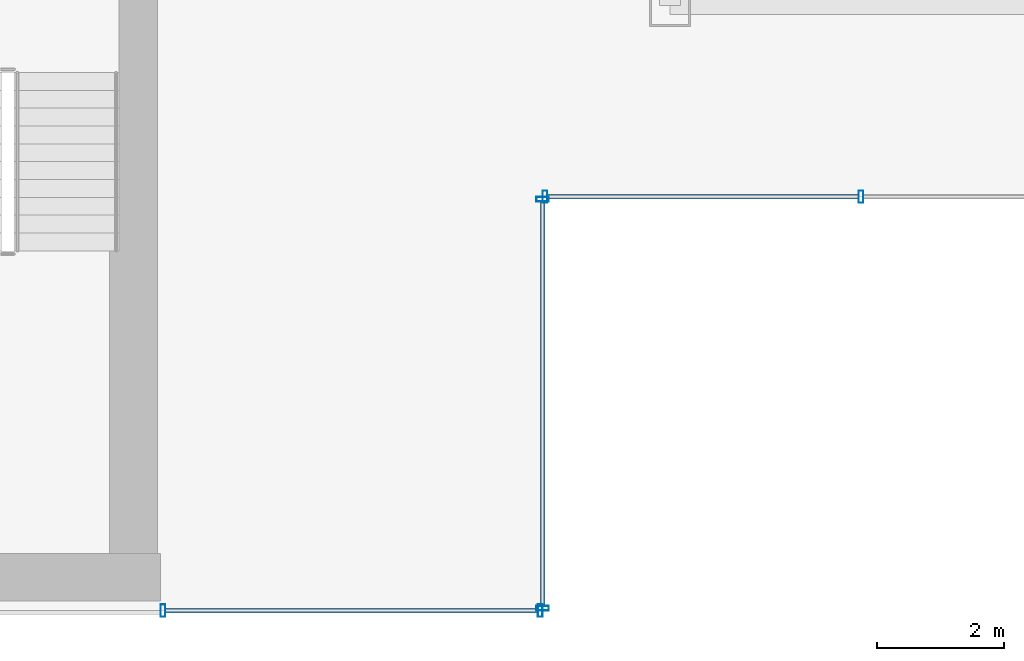
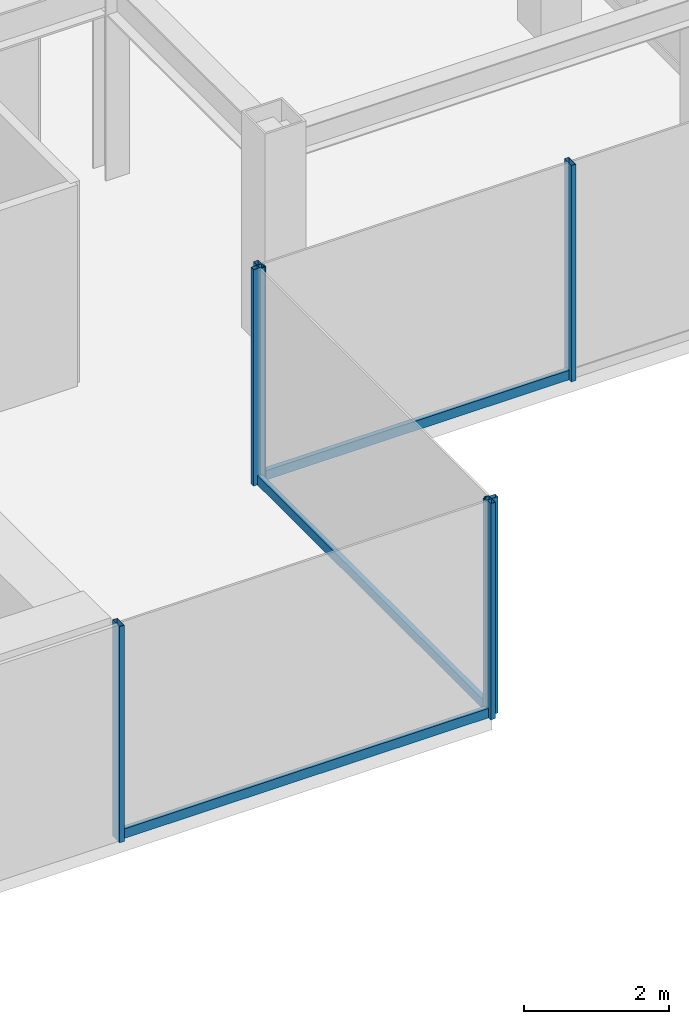
# One storey, part 9 of 25: 9 members, 3 elements without a shape of their own.
"""IFC4 building model written with IfcOpenShell, lengths in metres."""

from ifc_helpers import new_model, si_unit, derived_unit, direction, frame, origin, origin_2d, place, context, subcontext, project, spatial, hollow_rectangle, extrude, source, transform, mapped, material, material_profile, profile_set, type_object, element, aggregate, save


model = new_model("IFC4")

# Units and contexts
model_context = context("Model", 3, precision=1e-05, world=origin(), true_north=direction((0.0, 1.0)))
body_context = subcontext(model_context, "Body", "Model", "MODEL_VIEW")
ifc_project = project(units=[si_unit("LENGTHUNIT", "METRE"), si_unit("AREAUNIT", "SQUARE_METRE"), si_unit("VOLUMEUNIT", "CUBIC_METRE"), si_unit("PLANEANGLEUNIT", "RADIAN"), si_unit("MASSUNIT", "GRAM", prefix="KILO"), derived_unit("THERMALTRANSMITTANCEUNIT", [(si_unit("POWERUNIT", "WATT"), 1), (si_unit("LENGTHUNIT", "METRE"), -2), (si_unit("THERMODYNAMICTEMPERATUREUNIT", "KELVIN"), -1)])], contexts=[model_context])

# Site, building, storey
site_placement = place(None, origin())
site = spatial("IfcSite", under=ifc_project, at=site_placement, CompositionType="ELEMENT")
building_placement = place(site_placement, origin())
building = spatial("IfcBuilding", under=site, at=building_placement, Name="Skarnbrae Concourse Arena and Tower", CompositionType="ELEMENT")
storey_placement = place(building_placement, frame((0.0, 0.0, 169.800048828125)))
storey = spatial("IfcBuildingStorey", under=building, at=storey_placement, Name="L43", CompositionType="ELEMENT", Elevation=169.800048828125)

# Curtain wall, member
ifc_material = material(Name="Bronze anodised aluminium 6063-T6", Category="aluminium")
curtain_wall_type = type_object("IfcCurtainWallType", Name="CW-SYS-04-MIDZONE", PredefinedType="USERDEFINED", material=ifc_material)
curtain_wall_1_placement = place(storey_placement, origin())
curtain_wall_1 = element("IfcCurtainWall", 1, at=curtain_wall_1_placement, inside=storey, type_object=curtain_wall_type, Name="L43 Unitised curtain wall CW-L43-E03", ObjectType="UNITISED CURTAIN WALL", PredefinedType="USERDEFINED")
ifc_material_profile_1 = material_profile(ifc_material, hollow_rectangle(XDim=0.074951171875, YDim=0.159912109375, WallThickness=0.00439453125, at=origin_2d()), Name="ALU-TRAN-75X160")
ifc_profile_set_1 = profile_set([ifc_material_profile_1], Name="Bronze anodised aluminium 6063-T6")
member_type_1 = type_object("IfcMemberType", Name="CWT-CW-04", PredefinedType="USERDEFINED", material=ifc_profile_set_1)
shared_shape_1 = source(origin(), body_context, "Body", "SweptSolid", [
    extrude(hollow_rectangle(XDim=0.074951171875, YDim=0.159912109375, WallThickness=0.00439453125, at=origin_2d()), origin(), (0.0, 0.0, 1.0), 4.887451171875),
])
member_1_placement = place(storey_placement, frame((40.074951171875, 6.5, 0.079833984375), z_axis=(1.0, 0.0, 0.0), x_axis=(0.0, 1.0, 0.0)))
member_1 = element("IfcMember", 2, at=member_1_placement, type_object=member_type_1, Name="CW-L43-E03 Transom 1", ObjectType="TRANSOM", PredefinedType="USERDEFINED", context=body_context, shape_type="MappedRepresentation", body=[
    mapped(shared_shape_1, transform((0.0, 0.0, 0.0))),
])

# Curtain wall, members
curtain_wall_2_placement = place(storey_placement, origin())
curtain_wall_2 = element("IfcCurtainWall", 3, at=curtain_wall_2_placement, inside=storey, type_object=curtain_wall_type, Name="L43 Unitised curtain wall CW-L43-SE-SPINE", ObjectType="UNITISED CURTAIN WALL", PredefinedType="USERDEFINED")
ifc_material_profile_2 = material_profile(ifc_material, hollow_rectangle(XDim=0.074951171875, YDim=0.195068359375, WallThickness=0.00439453125, at=origin_2d()), Name="ALU-MULL-75X195")
ifc_profile_set_2 = profile_set([ifc_material_profile_2], Name="Bronze anodised aluminium 6063-T6")
member_type_2 = type_object("IfcMemberType", Name="CWM-CW-04", PredefinedType="MULLION", material=ifc_profile_set_2)
shared_shape_2 = source(origin(), body_context, "Body", "SweptSolid", [
    extrude(hollow_rectangle(XDim=0.074951171875, YDim=0.195068359375, WallThickness=0.00439453125, at=origin_2d()), origin(), (0.0, 0.0, 1.0), 3.64990234375),
])
member_2_placement = place(storey_placement, frame((34.03759765625, 0.0, 0.0), z_axis=(0.0, 0.0, 1.0), x_axis=(1.0, 0.0, 0.0)))
member_2 = element("IfcMember", 4, at=member_2_placement, type_object=member_type_2, Name="CW-L43-SE-SPINE Mullion 1", PredefinedType="MULLION", context=body_context, shape_type="MappedRepresentation", body=[
    mapped(shared_shape_2, transform((0.0, 0.0, 0.0))),
])
member_3_placement = place(storey_placement, frame((39.96240234375, 0.0, 0.0), z_axis=(0.0, 0.0, 1.0), x_axis=(1.0, 0.0, 0.0)))
member_3 = element("IfcMember", 5, at=member_3_placement, type_object=member_type_2, Name="CW-L43-SE-SPINE Mullion 2", PredefinedType="MULLION", context=body_context, shape_type="MappedRepresentation", body=[
    mapped(shared_shape_2, transform((0.0, 0.0, 0.0))),
])

curtain_wall_3_placement = place(storey_placement, origin())
curtain_wall_3 = element("IfcCurtainWall", 6, at=curtain_wall_3_placement, inside=storey, type_object=curtain_wall_type, Name="L43 Unitised curtain wall CW-L43-E02", ObjectType="UNITISED CURTAIN WALL", PredefinedType="USERDEFINED")
member_4_placement = place(storey_placement, frame((40.0, 0.03759765625, 0.0), z_axis=(0.0, 0.0, 1.0), x_axis=(0.0, 1.0, 0.0)))
member_4 = element("IfcMember", 7, at=member_4_placement, type_object=member_type_2, Name="CW-L43-E02 Mullion 1", PredefinedType="MULLION", context=body_context, shape_type="MappedRepresentation", body=[
    mapped(shared_shape_2, transform((0.0, 0.0, 0.0))),
])
member_5_placement = place(storey_placement, frame((40.0, 6.46240234375, 0.0), z_axis=(0.0, 0.0, 1.0), x_axis=(0.0, 1.0, 0.0)))
member_5 = element("IfcMember", 8, at=member_5_placement, type_object=member_type_2, Name="CW-L43-E02 Mullion 2", PredefinedType="MULLION", context=body_context, shape_type="MappedRepresentation", body=[
    mapped(shared_shape_2, transform((0.0, 0.0, 0.0))),
])

# Member
member_6_placement = place(storey_placement, frame((40.03759765625, 6.5, 0.0), z_axis=(0.0, 0.0, 1.0), x_axis=(1.0, 0.0, 0.0)))
member_6 = element("IfcMember", 9, at=member_6_placement, type_object=member_type_2, Name="CW-L43-E03 Mullion 1", PredefinedType="MULLION", context=body_context, shape_type="MappedRepresentation", body=[
    mapped(shared_shape_2, transform((0.0, 0.0, 0.0))),
])

member_7_placement = place(storey_placement, frame((45.0, 6.5, 0.0), z_axis=(0.0, 0.0, 1.0), x_axis=(1.0, 0.0, 0.0)))
member_7 = element("IfcMember", 10, at=member_7_placement, type_object=member_type_2, Name="CW-L43-E03 Mullion 2", PredefinedType="MULLION", context=body_context, shape_type="MappedRepresentation", body=[
    mapped(shared_shape_2, transform((0.0, 0.0, 0.0))),
])

aggregate(curtain_wall_1, [member_6, member_7, member_1])

shared_shape_3 = source(origin(), body_context, "Body", "SweptSolid", [
    extrude(hollow_rectangle(XDim=0.074951171875, YDim=0.159912109375, WallThickness=0.00439453125, at=origin_2d()), origin(), (0.0, 0.0, 1.0), 5.85009765625),
])
member_8_placement = place(storey_placement, frame((34.074951171875, 0.0, 0.079833984375), z_axis=(1.0, 0.0, 0.0), x_axis=(0.0, 1.0, 0.0)))
member_8 = element("IfcMember", 11, at=member_8_placement, type_object=member_type_1, Name="CW-L43-SE-SPINE Transom 1", ObjectType="TRANSOM", PredefinedType="USERDEFINED", context=body_context, shape_type="MappedRepresentation", body=[
    mapped(shared_shape_3, transform((0.0, 0.0, 0.0))),
])

aggregate(curtain_wall_2, [member_2, member_3, member_8])

shared_shape_4 = source(origin(), body_context, "Body", "SweptSolid", [
    extrude(hollow_rectangle(XDim=0.074951171875, YDim=0.159912109375, WallThickness=0.00439453125, at=origin_2d()), origin(), (0.0, 0.0, 1.0), 6.35009765625),
])
member_9_placement = place(storey_placement, frame((40.0, 0.074951171875, 0.079833984375), z_axis=(0.0, 1.0, 0.0), x_axis=(-1.0, 0.0, 0.0)))
member_9 = element("IfcMember", 12, at=member_9_placement, type_object=member_type_1, Name="CW-L43-E02 Transom 1", ObjectType="TRANSOM", PredefinedType="USERDEFINED", context=body_context, shape_type="MappedRepresentation", body=[
    mapped(shared_shape_4, transform((0.0, 0.0, 0.0))),
])

aggregate(curtain_wall_3, [member_4, member_5, member_9])

save(model, "model.ifc")
